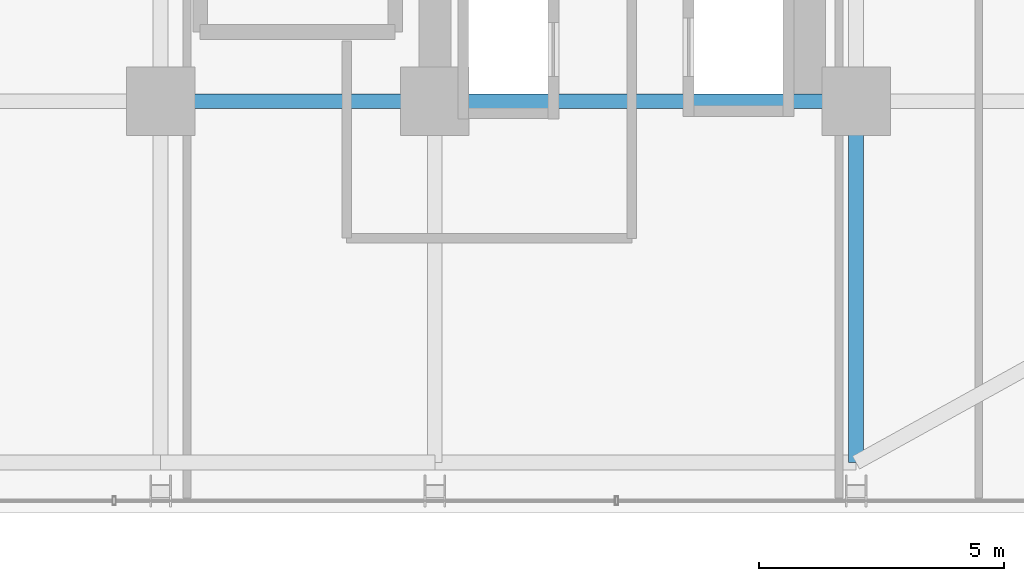
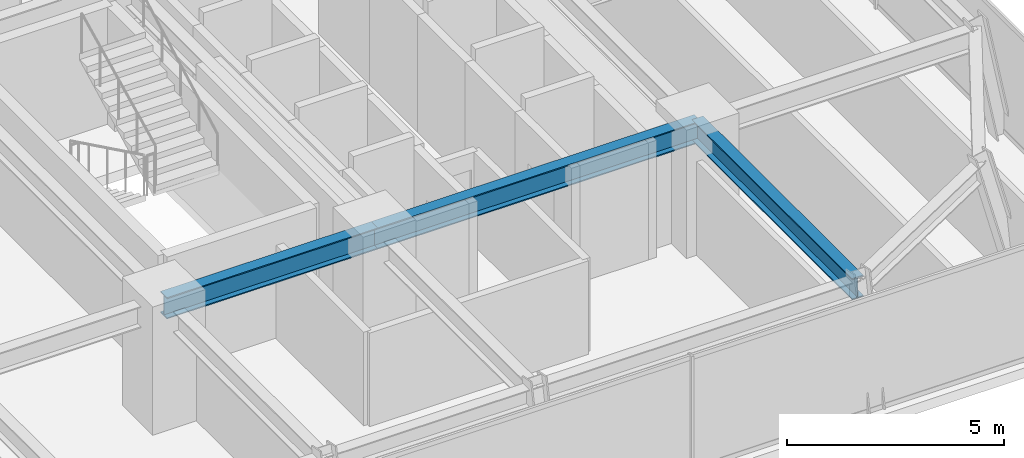
# One storey, part 12 of 35: 3 beams.
"""IFC4 building model written with IfcOpenShell, lengths in metres."""

import ifcopenshell
import ifcopenshell.guid

model = None  # the IFC model being written
_history = None  # IfcOwnerHistory: only IFC2X3 demands one
_inside = {}  # id of a spatial element -> (the spatial element, [elements in it])
_under = {}  # id of a project, library or spatial element -> (it, [spatial elements below it])
_declared = {}  # id of a project -> (the project, [libraries it declares])
_typed = {}  # id of a type object -> (the type object, [elements of that type])
_made_of = {}  # id of a material, layer set ... -> (it, [elements and type objects made of it])


def new_model(schema):
    """Start an empty IFC model of exactly this schema.

    Asked for "IFC4X3", IfcOpenShell would pick the latest addendum, in which some entities
    have other attributes; the version numbers below select the first issue.
    IFC2X3 requires an IfcOwnerHistory on every rooted entity: one is made here for all.
    """
    global model, _history
    if schema == "IFC4X3":
        model = ifcopenshell.file(schema_version=(4, 3, 0, 0))
    else:
        model = ifcopenshell.file(schema=schema)
    _inside.clear()
    _under.clear()
    _declared.clear()
    _typed.clear()
    _made_of.clear()
    _history = None
    if model.schema == "IFC2X3":
        org = make("IfcOrganization", Name="unknown")
        user = make(
            "IfcPersonAndOrganization",
            ThePerson=make("IfcPerson", FamilyName="unknown"),
            TheOrganization=org,
        )
        app = make(
            "IfcApplication",
            ApplicationDeveloper=org,
            Version="unknown",
            ApplicationFullName="unknown",
            ApplicationIdentifier="unknown",
        )
        _history = make(
            "IfcOwnerHistory",
            OwningUser=user,
            OwningApplication=app,
            ChangeAction="ADDED",
            CreationDate=0,
        )
    return model


def make(cls, **values):
    """One entity of the class cls with the attributes given. An attribute that is None is left unset."""
    return model.create_entity(
        cls, **{name: value for name, value in values.items() if value is not None}
    )


def rooted(cls, **values):
    """An entity with a GlobalId (a new one), such as an element, a storey or a relation."""
    return make(cls, GlobalId=ifcopenshell.guid.new(), OwnerHistory=_history, **values)


def si_unit(unit_type, name, prefix=None):
    """IfcSIUnit, for example si_unit("LENGTHUNIT", "METRE", prefix="MILLI")."""
    return make("IfcSIUnit", UnitType=unit_type, Prefix=prefix, Name=name)


def assignment(units):
    """IfcUnitAssignment: the units of a project."""
    return None if units is None else make("IfcUnitAssignment", Units=units)


def point(xyz):
    """IfcCartesianPoint."""
    return None if xyz is None else make("IfcCartesianPoint", Coordinates=xyz)


def direction(xyz):
    """IfcDirection."""
    return None if xyz is None else make("IfcDirection", DirectionRatios=xyz)


def frame(location, z_axis=None, x_axis=None):
    """IfcAxis2Placement3D, a coordinate frame: its origin and axes. An axis left out is left unset."""
    return make(
        "IfcAxis2Placement3D",
        Location=point(location),
        Axis=direction(z_axis),
        RefDirection=direction(x_axis),
    )


def frame_2d(location, x_axis=None):
    """IfcAxis2Placement2D, a coordinate frame in the plane: its origin and x axis."""
    return make(
        "IfcAxis2Placement2D", Location=point(location), RefDirection=direction(x_axis)
    )


def origin():
    """The frame at (0, 0, 0) with its axes left unset."""
    return frame((0.0, 0.0, 0.0))


def origin_2d():
    """The frame at (0, 0) in the plane with its x axis left unset."""
    return frame_2d((0.0, 0.0))


def place(relative_to, where):
    """IfcLocalPlacement: puts the frame where relative to a parent placement (None: the world)."""
    return make(
        "IfcLocalPlacement", PlacementRelTo=relative_to, RelativePlacement=where
    )


def context(
    kind, dimensions, precision=None, world=None, true_north=None, identifier=None
):
    """IfcGeometricRepresentationContext, for example the 3D "Model" context."""
    return make(
        "IfcGeometricRepresentationContext",
        ContextIdentifier=identifier,
        ContextType=kind,
        CoordinateSpaceDimension=dimensions,
        Precision=precision,
        WorldCoordinateSystem=world,
        TrueNorth=true_north,
    )


def subcontext(parent, identifier, kind, view, scale=None):
    """IfcGeometricRepresentationSubContext, for example "Body" below "Model"."""
    return make(
        "IfcGeometricRepresentationSubContext",
        ContextIdentifier=identifier,
        ContextType=kind,
        ParentContext=parent,
        TargetScale=scale,
        TargetView=view,
    )


def project(units=None, contexts=None):
    """IfcProject with its units and contexts."""
    return rooted(
        "IfcProject",
        Name="project",
        RepresentationContexts=contexts,
        UnitsInContext=assignment(units),
    )


def spatial(cls, under=None, at=None, **own):
    """A site, building, storey or space (cls), placed at a placement, below another one or the project."""
    s = rooted(cls, ObjectPlacement=at, **own)
    if under is not None:
        _under.setdefault(under.id(), (under, []))[1].append(s)
    return s


def profile(cls, at=None, kind="AREA", **sizes):
    """A parametric profile (cls). Its sizes go by their IFC names, for example OverallWidth=200.0."""
    return make(cls, ProfileType=kind, Position=at, **sizes)


def i_section(**sizes):
    """IfcIShapeProfileDef."""
    return profile("IfcIShapeProfileDef", **sizes)


def extrude(swept, where, along, depth):
    """IfcExtrudedAreaSolid: the profile swept, set in the frame where, extruded along a direction by depth."""
    return make(
        "IfcExtrudedAreaSolid",
        SweptArea=swept,
        Position=where,
        ExtrudedDirection=direction(along),
        Depth=depth,
    )


def shape(context_of_items, identifier, shape_type, items):
    """IfcShapeRepresentation: the items that make up one representation, for example the "Body"."""
    return make(
        "IfcShapeRepresentation",
        ContextOfItems=context_of_items,
        RepresentationIdentifier=identifier,
        RepresentationType=shape_type,
        Items=items,
    )


def source(mapping_origin, context_of_items, identifier, shape_type, items):
    """IfcRepresentationMap: a shape defined once, which mapped items show again and again."""
    return make(
        "IfcRepresentationMap",
        MappingOrigin=mapping_origin,
        MappedRepresentation=shape(context_of_items, identifier, shape_type, items),
    )


def transform(
    local_origin,
    x_axis=None,
    y_axis=None,
    z_axis=None,
    scale=None,
    scale2=None,
    scale3=None,
    uniform=True,
):
    """IfcCartesianTransformationOperator3D, or its non-uniform kind. x_axis, y_axis, z_axis: its Axis1, 2, 3."""
    if uniform:
        return make(
            "IfcCartesianTransformationOperator3D",
            Axis1=direction(x_axis),
            Axis2=direction(y_axis),
            LocalOrigin=point(local_origin),
            Scale=scale,
            Axis3=direction(z_axis),
        )
    return make(
        "IfcCartesianTransformationOperator3DnonUniform",
        Axis1=direction(x_axis),
        Axis2=direction(y_axis),
        LocalOrigin=point(local_origin),
        Scale=scale,
        Axis3=direction(z_axis),
        Scale2=scale2,
        Scale3=scale3,
    )


def mapped(mapping_source, mapping_target):
    """IfcMappedItem: shows the shape of a source again, moved by a transform."""
    return make(
        "IfcMappedItem", MappingSource=mapping_source, MappingTarget=mapping_target
    )


def material(Name=None, Category=None):
    """IfcMaterial."""
    return make("IfcMaterial", Name=Name, Category=Category)


def material_profile(
    of_material, cross_section, Name=None, Category=None, Priority=None
):
    """IfcMaterialProfile: a cross section and its material."""
    return make(
        "IfcMaterialProfile",
        Name=Name,
        Material=of_material,
        Profile=cross_section,
        Priority=Priority,
        Category=Category,
    )


def profile_set(profiles, Name=None, composite=None):
    """IfcMaterialProfileSet."""
    return make(
        "IfcMaterialProfileSet",
        Name=Name,
        MaterialProfiles=profiles,
        CompositeProfile=composite,
    )


def made_of(thing, what):
    """Note that an element or type object is made of a material, layer set ...; save() writes the relation."""
    if what is not None:
        _made_of.setdefault(what.id(), (what, []))[1].append(thing)
    return thing


def type_object(cls, material=None, **own):
    """A type object (cls), such as IfcWallType, which elements share."""
    return made_of(rooted(cls, **own), material)


def element(
    cls,
    number,
    at=None,
    inside=None,
    cuts=None,
    type_object=None,
    material=None,
    context=None,
    identifier="Body",
    shape_type=None,
    held_by="IfcProductDefinitionShape",
    body=None,
    shapes=None,
    **own,
):
    """One element of the class cls, such as IfcWall. Its Tag is "e" and its number.

    at: its placement. inside: the storey or other place that contains it. cuts: it is an
    opening in that element (IfcRelVoidsElement). A single representation is given by context,
    identifier, shape_type and body (its items); several are given by shapes. held_by: the class
    of the entity that holds the representations. save() writes the other relations.
    """
    e = rooted(cls, Tag="e%d" % number, ObjectPlacement=at, **own)
    if body is not None:
        shapes = [shape(context, identifier, shape_type, body)]
    if shapes is not None:
        e.Representation = make(held_by, Representations=shapes)
    if inside is not None:
        _inside.setdefault(inside.id(), (inside, []))[1].append(e)
    if cuts is not None:
        rooted(
            "IfcRelVoidsElement", RelatingBuildingElement=cuts, RelatedOpeningElement=e
        )
    if type_object is not None:
        _typed.setdefault(type_object.id(), (type_object, []))[1].append(e)
    return made_of(e, material)


def aggregate(whole, parts):
    """IfcRelAggregates: a whole, such as a stair, and the parts it consists of."""
    return rooted("IfcRelAggregates", RelatingObject=whole, RelatedObjects=parts)


def save(model, path):
    """Write the relations noted so far, then the file.

    IfcRelAggregates (storeys below a building ...), IfcRelContainedInSpatialStructure (elements
    in a storey), IfcRelDefinesByType, IfcRelAssociatesMaterial and IfcRelDeclares: one each for
    every whole, place, type object, material and project.
    """
    for whole, parts in _under.values():
        aggregate(whole, parts)
    for where, things in _inside.values():
        rooted(
            "IfcRelContainedInSpatialStructure",
            RelatedElements=things,
            RelatingStructure=where,
        )
    for kind, things in _typed.values():
        rooted("IfcRelDefinesByType", RelatedObjects=things, RelatingType=kind)
    for what, things in _made_of.values():
        rooted("IfcRelAssociatesMaterial", RelatedObjects=things, RelatingMaterial=what)
    for by, libraries in _declared.values():
        rooted("IfcRelDeclares", RelatingContext=by, RelatedDefinitions=libraries)
    model.write(path)


model = new_model("IFC4")

# Units and contexts
model_context = context("Model", 3, precision=1e-05, world=origin(), true_north=direction((0.0, 1.0)))
body_context = subcontext(model_context, "Body", "Model", "MODEL_VIEW")
ifc_project = project(units=[si_unit("LENGTHUNIT", "METRE"), si_unit("AREAUNIT", "SQUARE_METRE"), si_unit("VOLUMEUNIT", "CUBIC_METRE"), si_unit("PLANEANGLEUNIT", "RADIAN"), si_unit("MASSUNIT", "GRAM", prefix="KILO")], contexts=[model_context])

# Site, building, storey
site_placement = place(None, origin())
site = spatial("IfcSite", under=ifc_project, at=site_placement, CompositionType="ELEMENT")
building_placement = place(site_placement, origin())
building = spatial("IfcBuilding", under=site, at=building_placement, Name="Nahalor Promenade Grand Hotel", CompositionType="ELEMENT")
storey_placement = place(building_placement, frame((0.0, 0.0, 79.85009765625)))
storey = spatial("IfcBuildingStorey", under=building, at=storey_placement, Name="L19", CompositionType="ELEMENT", Elevation=79.85009765625)

# Beams
ifc_material = material(Name="Steel S355JR", Category="steel")
ifc_material_profile = material_profile(ifc_material, i_section(OverallWidth=0.3, OverallDepth=0.6, WebThickness=0.0155, FlangeThickness=0.03, at=origin_2d()), Name="HEB 600")
ifc_profile_set = profile_set([ifc_material_profile], Name="Steel S355JR")
beam_type = type_object("IfcBeamType", Name="Beam-Girder-HEB600", PredefinedType="BEAM", material=ifc_profile_set)
shared_shape_1 = source(origin(), body_context, "Body", "SweptSolid", [
    extrude(i_section(OverallWidth=0.3, OverallDepth=0.6, WebThickness=0.0155, FlangeThickness=0.03, at=origin_2d()), origin(), (0.0, 0.0, 1.0), 8.60009765625),
])
beam_1_placement = place(storey_placement, frame((8.39990234375, -17.0, 2.989990234375), z_axis=(1.0, 0.0, 0.0), x_axis=(0.0, 1.0, 0.0)))
element("IfcBeam", 1, at=beam_1_placement, inside=storey, type_object=beam_type, Name="BM-L19-GX-0-5", PredefinedType="BEAM", context=body_context, shape_type="MappedRepresentation", body=[
    mapped(shared_shape_1, transform((0.0, 0.0, 0.0), scale=1.0)),
])
shared_shape_2 = source(origin(), body_context, "Body", "SweptSolid", [
    extrude(i_section(OverallWidth=0.3, OverallDepth=0.6, WebThickness=0.0155, FlangeThickness=0.03, at=origin_2d()), origin(), (0.0, 0.0, 1.0), 5.599853515625),
])
beam_2_placement = place(storey_placement, frame((2.800048828125, -17.0, 2.989990234375), z_axis=(1.0, 0.0, 0.0), x_axis=(0.0, 1.0, 0.0)))
element("IfcBeam", 2, at=beam_2_placement, inside=storey, type_object=beam_type, Name="BM-L19-GX-0-4", PredefinedType="BEAM", context=body_context, shape_type="MappedRepresentation", body=[
    mapped(shared_shape_2, transform((0.0, 0.0, 0.0), scale=1.0)),
])
shared_shape_3 = source(origin(), body_context, "Body", "SweptSolid", [
    extrude(i_section(OverallWidth=0.3, OverallDepth=0.6, WebThickness=0.0155, FlangeThickness=0.03, at=origin_2d()), origin(), (0.0, 0.0, 1.0), 7.3798828125),
])
beam_3_placement = place(storey_placement, frame((17.0, -24.3798828125, 2.989990234375), z_axis=(0.0, 1.0, 0.0), x_axis=(-1.0, 0.0, 0.0)))
element("IfcBeam", 3, at=beam_3_placement, inside=storey, type_object=beam_type, Name="BM-L19-GY-5-0", PredefinedType="BEAM", context=body_context, shape_type="MappedRepresentation", body=[
    mapped(shared_shape_3, transform((0.0, 0.0, 0.0), scale=1.0)),
])

save(model, "model.ifc")
